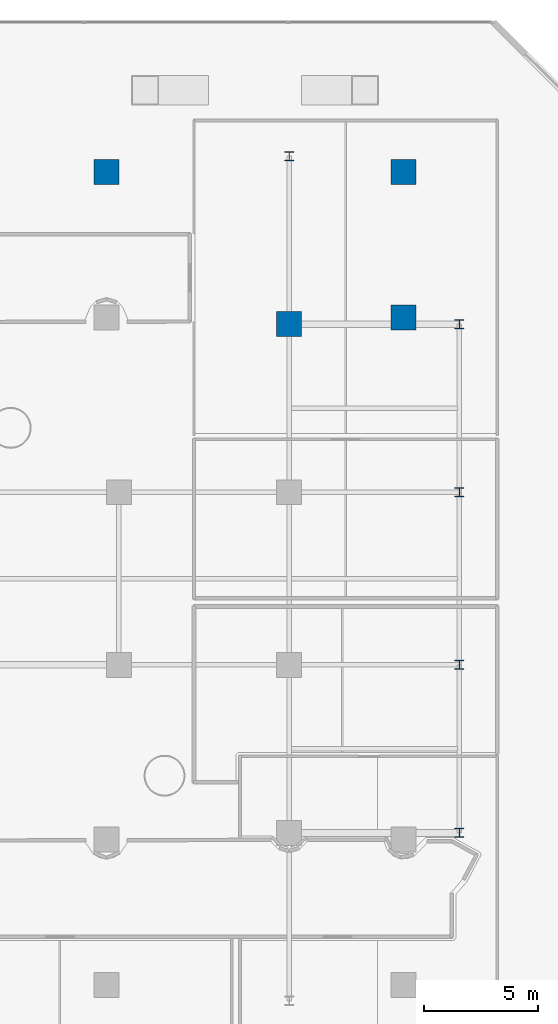
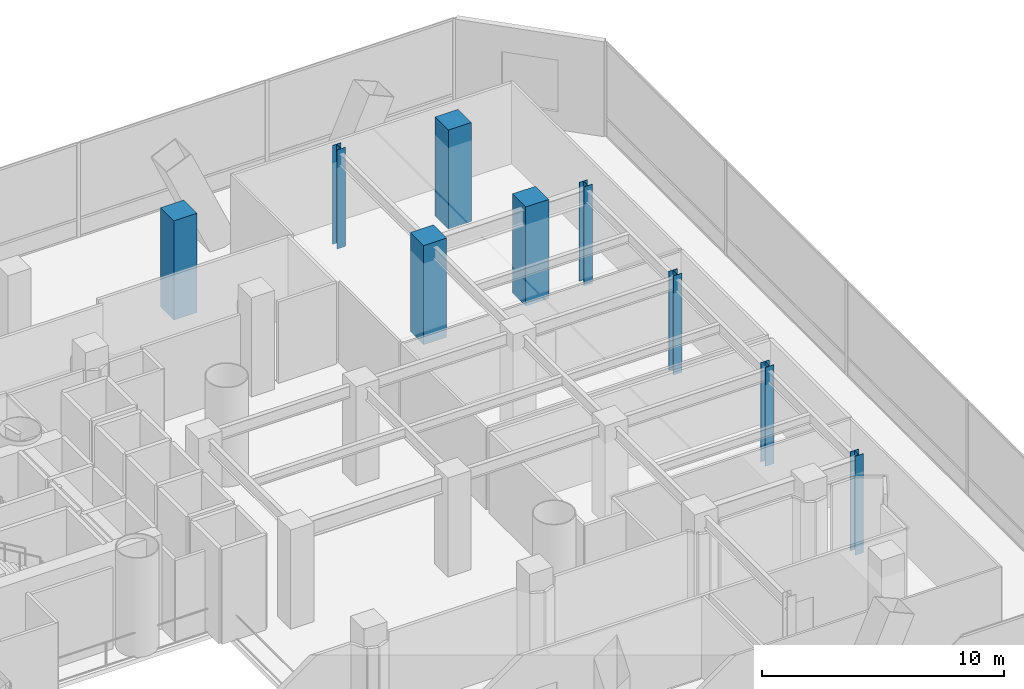
# One storey, part 4 of 42: 9 columns.
"""IFC4 building model written with IfcOpenShell, lengths in metres."""

from ifc_helpers import new_model, si_unit, direction, frame, origin, origin_2d, place, context, subcontext, project, spatial, rectangle, i_section, extrude, material, material_profile, profile_set, type_object, element, save


model = new_model("IFC4")

# Units and contexts
model_context = context("Model", 3, precision=1e-05, world=origin(), true_north=direction((0.0, 1.0)))
body_context = subcontext(model_context, "Body", "Model", "MODEL_VIEW")
ifc_project = project(units=[si_unit("LENGTHUNIT", "METRE"), si_unit("AREAUNIT", "SQUARE_METRE"), si_unit("VOLUMEUNIT", "CUBIC_METRE"), si_unit("PLANEANGLEUNIT", "RADIAN"), si_unit("MASSUNIT", "GRAM", prefix="KILO")], contexts=[model_context])

# Site, building, storey
site_placement = place(None, origin())
site = spatial("IfcSite", under=ifc_project, at=site_placement, CompositionType="ELEMENT")
building_placement = place(site_placement, origin())
building = spatial("IfcBuilding", under=site, at=building_placement, Name="Qianvela Tower", CompositionType="ELEMENT")
storey_placement = place(building_placement, frame((0.0, 0.0, 6.0)))
storey = spatial("IfcBuildingStorey", under=building, at=storey_placement, Name="L01", CompositionType="ELEMENT", Elevation=6.0)

# Columns
ifc_material_1 = material(Name="Steel Q355B", Category="steel")
ifc_material_profile_1 = material_profile(ifc_material_1, i_section(OverallWidth=0.39990234375, OverallDepth=0.39990234375, WebThickness=0.012939453125, FlangeThickness=0.02099609375, at=origin_2d()), Name="HW400x400x13x21")
ifc_profile_set_1 = profile_set([ifc_material_profile_1], Name="Steel Q355B")
column_type_1 = type_object("IfcColumnType", Name="COL-HW-400", PredefinedType="COLUMN", material=ifc_profile_set_1)
for number, where, z_axis, x_axis, name in (
    (1, (60.0, 44.60009765625, 0.0), (0.0, 0.0, 1.0), (1.0, 0.0, 0.0), "L01 Podium Grid Column P43"),
    (2, (67.5, 14.800048828125, 0.0), (0.0, 0.0, 1.0), (1.0, 0.0, 0.0), "L01 Podium Grid Column P44"),
    (3, (67.5, 22.199951171875, 0.0), (0.0, 0.0, 1.0), (1.0, 0.0, 0.0), "L01 Podium Grid Column P45"),
    (4, (67.5, 29.800048828125, 0.0), (0.0, 0.0, 1.0), (1.0, 0.0, 0.0), "L01 Podium Grid Column P46"),
    (5, (67.5, 37.199951171875, 0.0), (0.0, 0.0, 1.0), (1.0, 0.0, 0.0), "L01 Podium Grid Column P47"),
):
    element("IfcColumn", number, at=place(storey_placement, frame(where, z_axis=z_axis, x_axis=x_axis)), inside=storey, type_object=column_type_1, Name=name, PredefinedType="COLUMN", context=body_context, shape_type="SweptSolid", body=[
        extrude(i_section(OverallWidth=0.39990234375, OverallDepth=0.39990234375, WebThickness=0.012939453125, FlangeThickness=0.02099609375, at=origin_2d()), origin(), (0.0, 0.0, 1.0), 5.0),
    ])
ifc_material_2 = material(Name="Concrete C60", Category="concrete")
ifc_material_profile_2 = material_profile(ifc_material_2, rectangle(XDim=1.10009765625, YDim=1.10009765625, at=origin_2d()), Name="RC-COL-1100x1100")
ifc_profile_set_2 = profile_set([ifc_material_profile_2], Name="Concrete C60")
column_type_2 = type_object("IfcColumnType", Name="COL-RC-1100", PredefinedType="COLUMN", material=ifc_profile_set_2)
for number, where, z_axis, x_axis, name in (
    (6, (51.955322265625, 43.89990234375, 0.0), (0.0, 0.0, 1.0), (1.0, 0.0, 0.0), "L01 Concourse Colonnade Column VC-N3-L-B1"),
    (7, (65.044677734375, 43.89990234375, 0.0), (0.0, 0.0, 1.0), (1.0, 0.0, 0.0), "L01 Concourse Colonnade Column VC-N3-R-B1"),
    (8, (65.044677734375, 37.5, 0.0), (0.0, 0.0, 1.0), (1.0, 0.0, 0.0), "L01 Concourse Colonnade Column VC-N3-R-B2"),
    (9, (60.0, 37.199951171875, 0.0), (0.0, 0.0, 1.0), (1.0, 0.0, 0.0), "L01 Podium Grid Column P42"),
):
    element("IfcColumn", number, at=place(storey_placement, frame(where, z_axis=z_axis, x_axis=x_axis)), inside=storey, type_object=column_type_2, Name=name, PredefinedType="COLUMN", context=body_context, shape_type="SweptSolid", body=[
        extrude(rectangle(XDim=1.10009765625, YDim=1.10009765625, at=origin_2d()), origin(), (0.0, 0.0, 1.0), 5.0),
    ])

save(model, "model.ifc")
